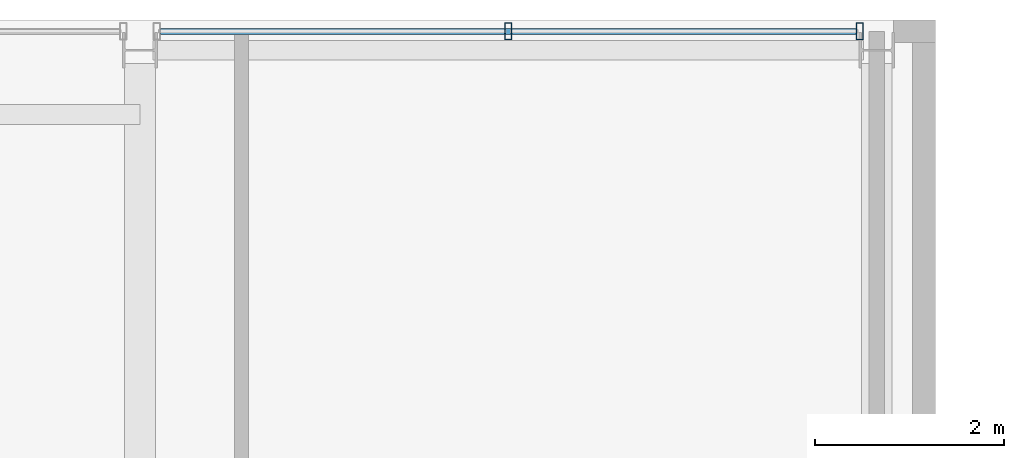
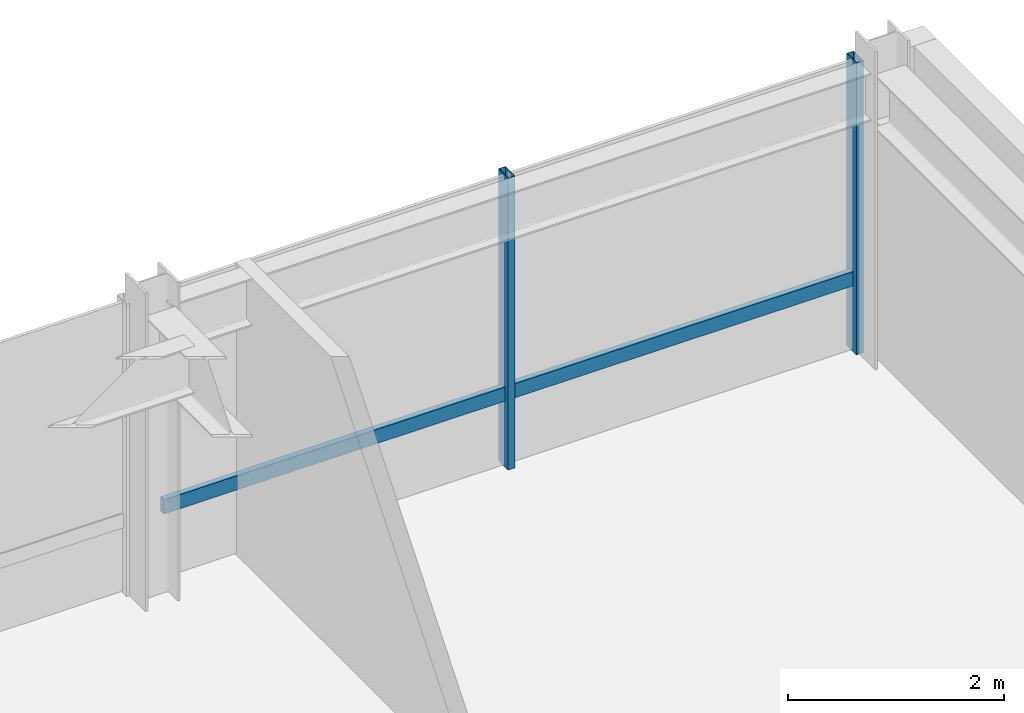
# One storey, part 26 of 34: 3 members, 1 element without a shape of its own.
"""IFC4 building model written with IfcOpenShell, lengths in metres."""

from ifc_helpers import new_model, si_unit, direction, frame, origin, origin_2d, place, context, subcontext, project, spatial, hollow_rectangle, extrude, material, layer, layer_set, material_profile, profile_set, type_object, element, aggregate, save


model = new_model("IFC4")

# Units and contexts
model_context = context("Model", 3, precision=1e-05, world=origin(), true_north=direction((0.0, 1.0)))
body_context = subcontext(model_context, "Body", "Model", "MODEL_VIEW")
ifc_project = project(units=[si_unit("LENGTHUNIT", "METRE"), si_unit("AREAUNIT", "SQUARE_METRE"), si_unit("VOLUMEUNIT", "CUBIC_METRE"), si_unit("PLANEANGLEUNIT", "RADIAN"), si_unit("MASSUNIT", "GRAM", prefix="KILO")], contexts=[model_context])

# Site, building, storey
site_placement = place(None, origin())
site = spatial("IfcSite", under=ifc_project, at=site_placement, CompositionType="ELEMENT")
building_placement = place(site_placement, origin())
building = spatial("IfcBuilding", under=site, at=building_placement, Name="Drelvath Grand Hotel", CompositionType="ELEMENT")
storey_placement = place(building_placement, frame((0.0, 0.0, 251.89990234375)))
storey = spatial("IfcBuildingStorey", under=building, at=storey_placement, Name="L66", CompositionType="ELEMENT", Elevation=251.89990234375)

# Curtain wall, members
ifc_material = material(Name="Platinum-Mist Anodised Aluminium Frame", Category="aluminium")
ifc_layer = layer(ifc_material, 0.199951171875)
ifc_layer_set = layer_set([ifc_layer], Name="Platinum-Mist Anodised Aluminium Frame")
curtain_wall_type = type_object("IfcCurtainWallType", Name="Stick Curtain Wall CW-05 Platinum Mist High-Rise", PredefinedType="NOTDEFINED", material=ifc_layer_set)
curtain_wall_placement = place(storey_placement, origin())
curtain_wall = element("IfcCurtainWall", 1, at=curtain_wall_placement, inside=storey, type_object=curtain_wall_type, Name="L66 CW-05 Curtain Wall CW05-L66-NE2", PredefinedType="NOTDEFINED")
ifc_material_profile_1 = material_profile(ifc_material, hollow_rectangle(XDim=0.06494140625, YDim=0.159912109375, WallThickness=0.00390625, at=origin_2d()), Name="HSS160X65X4")
ifc_profile_set_1 = profile_set([ifc_material_profile_1], Name="Platinum-Mist Anodised Aluminium Frame")
member_type_1 = type_object("IfcMemberType", Name="Curtain Wall Horizontal Transom CW-05 HSS160X65X4", PredefinedType="USERDEFINED", material=ifc_profile_set_1)
member_1_placement = place(storey_placement, frame((8.6181640625, 49.080078125, 0.8251953125), z_axis=(1.0, 0.0, 0.0), x_axis=(0.0, 1.0, 0.0)))
member_1 = element("IfcMember", 2, at=member_1_placement, type_object=member_type_1, Name="CW05-L66-NE2 Sill Transom", ObjectType="TRANSOM", PredefinedType="USERDEFINED", context=body_context, shape_type="SweptSolid", body=[
    extrude(hollow_rectangle(XDim=0.06494140625, YDim=0.159912109375, WallThickness=0.00390625, at=origin_2d()), origin(), (0.0, 0.0, 1.0), 7.363525390625),
])
ifc_material_profile_2 = material_profile(ifc_material, hollow_rectangle(XDim=0.074951171875, YDim=0.179931640625, WallThickness=0.0048828125, at=origin_2d()), Name="HSS180X75X5")
ifc_profile_set_2 = profile_set([ifc_material_profile_2], Name="Platinum-Mist Anodised Aluminium Frame")
member_type_2 = type_object("IfcMemberType", Name="Curtain Wall Vertical Mullion CW-05 HSS180X75X5", PredefinedType="MULLION", material=ifc_profile_set_2)
member_2_placement = place(storey_placement, frame((12.300048828125, 49.080078125, 0.0), z_axis=(0.0, 0.0, 1.0), x_axis=(1.0, 0.0, 0.0)))
member_2 = element("IfcMember", 3, at=member_2_placement, type_object=member_type_2, Name="CW05-L66-NE2 Mullion 2", PredefinedType="MULLION", context=body_context, shape_type="SweptSolid", body=[
    extrude(hollow_rectangle(XDim=0.074951171875, YDim=0.179931640625, WallThickness=0.0048828125, at=origin_2d()), origin(), (0.0, 0.0, 1.0), 3.300048828125),
])
member_3_placement = place(storey_placement, frame((16.021728515625, 49.080078125, 0.0), z_axis=(0.0, 0.0, 1.0), x_axis=(1.0, 0.0, 0.0)))
member_3 = element("IfcMember", 4, at=member_3_placement, type_object=member_type_2, Name="CW05-L66-NE2 Mullion 3", PredefinedType="MULLION", context=body_context, shape_type="SweptSolid", body=[
    extrude(hollow_rectangle(XDim=0.074951171875, YDim=0.179931640625, WallThickness=0.0048828125, at=origin_2d()), origin(), (0.0, 0.0, 1.0), 3.300048828125),
])
aggregate(curtain_wall, [member_2, member_3, member_1])

save(model, "model.ifc")
